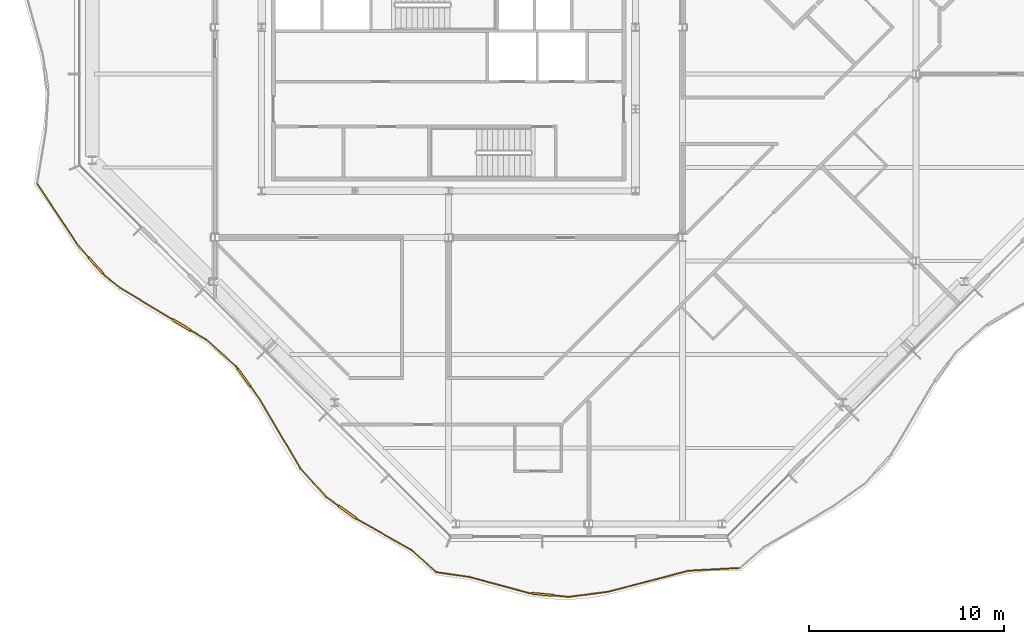
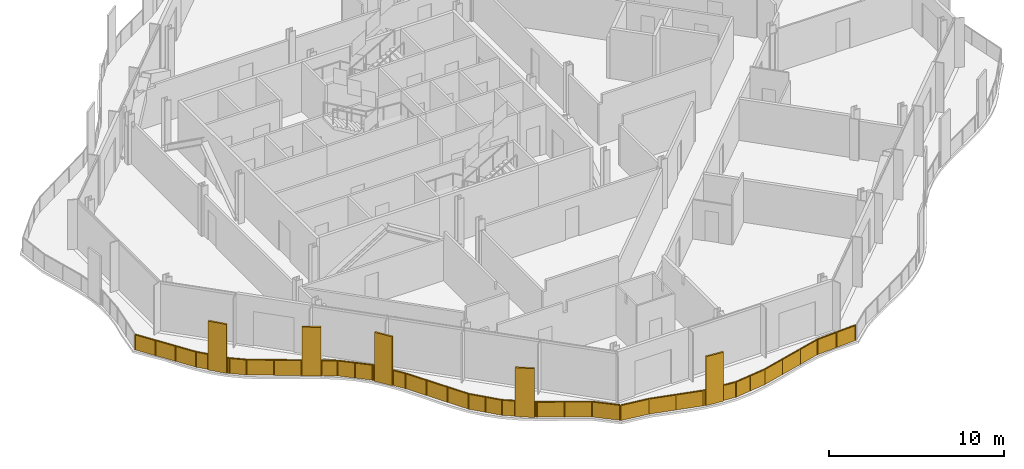
# One storey, part 12 of 16: 2 railings.
"""IFC4 building model written with IfcOpenShell, lengths in metres."""

from ifc_helpers import new_model, si_unit, direction, frame, origin, origin_2d, place, context, subcontext, project, spatial, polyline, rectangle, outline, extrude, material, type_object, element, save


model = new_model("IFC4")

# Units and contexts
model_context = context("Model", 3, precision=1e-05, world=origin(), true_north=direction((0.0, 1.0)))
body_context = subcontext(model_context, "Body", "Model", "MODEL_VIEW")
ifc_project = project(units=[si_unit("LENGTHUNIT", "METRE"), si_unit("AREAUNIT", "SQUARE_METRE"), si_unit("VOLUMEUNIT", "CUBIC_METRE"), si_unit("PLANEANGLEUNIT", "RADIAN"), si_unit("MASSUNIT", "GRAM", prefix="KILO")], contexts=[model_context])

# Site, building, storey
site_placement = place(None, origin())
site = spatial("IfcSite", under=ifc_project, at=site_placement, CompositionType="ELEMENT")
building_placement = place(site_placement, origin())
building = spatial("IfcBuilding", under=site, at=building_placement, Name="Cairn Pilgrim Tower", CompositionType="ELEMENT")
storey_placement = place(building_placement, frame((0.0, 0.0, 277.800048828125)))
storey = spatial("IfcBuildingStorey", under=building, at=storey_placement, Name="L71", CompositionType="ELEMENT", Elevation=277.800048828125)

# Railings
ifc_material = material(Name="Bronze anodised aluminium rail, posts and fin screens with laminated glass infill", Category="aluminium")
railing_type = type_object("IfcRailingType", Name="BALCONY GUARD WITH FIN SCREENS", PredefinedType="GUARDRAIL", material=ifc_material)
railing_1_placement = place(storey_placement, frame((6.55419921875, -25.57763671875, 0.0)))
element("IfcRailing", 1, at=railing_1_placement, inside=storey, type_object=railing_type, Name="Balcony guard BGF-1 with fin screens", PredefinedType="GUARDRAIL", context=body_context, shape_type="SweptSolid", body=[
    extrude(rectangle(XDim=0.050048828125, YDim=0.050048828125, at=origin_2d()), frame((0.0, 0.0, 1.0751953125), z_axis=(0.989761532222, -0.142730898317, 0.0), x_axis=(0.142730898317, 0.989761532222, 0.0)), (0.0, 0.0, 1.0), 1.722412109375),
    extrude(rectangle(XDim=0.050048828125, YDim=0.050048828125, at=origin_2d()), frame((1.704833984375, -0.245849609375, 1.0751953125), z_axis=(0.965438319853, -0.260631637679, 0.0), x_axis=(0.260631637679, 0.965438319853, 0.0)), (0.0, 0.0, 1.0), 3.1923828125),
    extrude(rectangle(XDim=1.10009765625, YDim=0.110107421875, at=origin_2d()), frame((5.483642578125, -1.143798828125, 0.0), z_axis=(0.0, 0.0, 1.0), x_axis=(0.99555239361, -0.094209508955, 0.0)), (0.0, 0.0, 1.0), 3.39990234375),
    extrude(rectangle(XDim=0.050048828125, YDim=0.050048828125, at=origin_2d()), frame((4.786865234375, -1.077880859375, 1.0751953125), z_axis=(0.99555239361, -0.094209508955, 0.0), x_axis=(0.094209508955, 0.99555239361, 0.0)), (0.0, 0.0, 1.0), 0.14990234375),
    extrude(rectangle(XDim=0.050048828125, YDim=0.050048828125, at=origin_2d()), frame((6.03125, -1.195556640625, 1.0751953125), z_axis=(0.99555239361, -0.094209508955, 0.0), x_axis=(0.094209508955, 0.99555239361, 0.0)), (0.0, 0.0, 1.0), 0.787109375),
    extrude(rectangle(XDim=0.050048828125, YDim=0.050048828125, at=origin_2d()), frame((6.814697265625, -1.269775390625, 1.0751953125), z_axis=(0.991647538823, 0.128977357496, 0.0), x_axis=(-0.128977357496, 0.991647538823, 0.0)), (0.0, 0.0, 1.0), 2.048095703125),
    extrude(rectangle(XDim=0.050048828125, YDim=0.050048828125, at=origin_2d()), frame((8.845703125, -1.005615234375, 1.0751953125), z_axis=(0.967377575943, 0.253338953899, 0.0), x_axis=(-0.253338953899, 0.967377575943, 0.0)), (0.0, 0.0, 1.0), 4.258544921875),
    extrude(rectangle(XDim=0.050048828125, YDim=0.050048828125, at=origin_2d()), frame((12.96533203125, 0.0732421875, 1.0751953125), z_axis=(0.998559936328, 0.053647493511, 0.0), x_axis=(-0.053647493511, 0.998559936328, 0.0)), (0.0, 0.0, 1.0), 2.58935546875),
    extrude(rectangle(XDim=0.050048828125, YDim=0.050048828125, at=origin_2d()), origin(), (0.0, 0.0, 1.0), 1.050048828125),
    extrude(rectangle(XDim=0.050048828125, YDim=0.050048828125, at=origin_2d()), frame((1.704833984375, -0.245849609375, 0.0)), (0.0, 0.0, 1.0), 1.050048828125),
    extrude(rectangle(XDim=0.050048828125, YDim=0.050048828125, at=origin_2d()), frame((3.245849609375, -0.661865234375, 0.0)), (0.0, 0.0, 1.0), 1.050048828125),
    extrude(rectangle(XDim=0.050048828125, YDim=0.050048828125, at=origin_2d()), frame((4.786865234375, -1.077880859375, 0.0)), (0.0, 0.0, 1.0), 1.050048828125),
    extrude(rectangle(XDim=0.050048828125, YDim=0.050048828125, at=origin_2d()), frame((4.9111328125, -1.089599609375, 0.0)), (0.0, 0.0, 1.0), 1.050048828125),
    extrude(rectangle(XDim=0.050048828125, YDim=0.050048828125, at=origin_2d()), frame((6.05615234375, -1.197998046875, 0.0)), (0.0, 0.0, 1.0), 1.050048828125),
    extrude(rectangle(XDim=0.050048828125, YDim=0.050048828125, at=origin_2d()), frame((6.814697265625, -1.269775390625, 0.0)), (0.0, 0.0, 1.0), 1.050048828125),
    extrude(rectangle(XDim=0.050048828125, YDim=0.050048828125, at=origin_2d()), frame((7.830078125, -1.1376953125, 0.0)), (0.0, 0.0, 1.0), 1.050048828125),
    extrude(rectangle(XDim=0.050048828125, YDim=0.050048828125, at=origin_2d()), frame((8.845703125, -1.005615234375, 0.0)), (0.0, 0.0, 1.0), 1.050048828125),
    extrude(rectangle(XDim=0.050048828125, YDim=0.050048828125, at=origin_2d()), frame((10.218994140625, -0.64599609375, 0.0)), (0.0, 0.0, 1.0), 1.050048828125),
    extrude(rectangle(XDim=0.050048828125, YDim=0.050048828125, at=origin_2d()), frame((11.592041015625, -0.286376953125, 0.0)), (0.0, 0.0, 1.0), 1.050048828125),
    extrude(rectangle(XDim=0.050048828125, YDim=0.050048828125, at=origin_2d()), frame((12.96533203125, 0.0732421875, 0.0)), (0.0, 0.0, 1.0), 1.050048828125),
    extrude(rectangle(XDim=0.050048828125, YDim=0.050048828125, at=origin_2d()), frame((14.25830078125, 0.142578125, 0.0)), (0.0, 0.0, 1.0), 1.050048828125),
    extrude(rectangle(XDim=0.050048828125, YDim=0.050048828125, at=origin_2d()), frame((15.551025390625, 0.212158203125, 0.0)), (0.0, 0.0, 1.0), 1.050048828125),
    extrude(outline(polyline([(0.02490234375, 0.0), (1.697509765625, 0.0), (1.697509765625, 1.050048828125), (0.02490234375, 1.050048828125), (0.02490234375, 0.0)])), frame((0.000732421875, 0.005859375, 0.0), z_axis=(-0.142730898317, -0.989761532222, 0.0), x_axis=(0.989761532222, -0.142730898317, 0.0)), (0.0, 0.0, 1.0), 0.011962890625),
    extrude(outline(polyline([(0.02490234375, 0.0), (1.571044921875, 0.0), (1.571044921875, 1.050048828125), (0.02490234375, 1.050048828125), (0.02490234375, 0.0)])), frame((1.706298828125, -0.239990234375, 0.0), z_axis=(-0.260631637679, -0.965438319853, 0.0), x_axis=(0.965438319853, -0.260631637679, 0.0)), (0.0, 0.0, 1.0), 0.011962890625),
    extrude(outline(polyline([(0.02490234375, 0.0), (1.571044921875, 0.0), (1.571044921875, 1.050048828125), (0.02490234375, 1.050048828125), (0.02490234375, 0.0)])), frame((3.247314453125, -0.656005859375, 0.0), z_axis=(-0.260631637679, -0.965438319853, 0.0), x_axis=(0.965438319853, -0.260631637679, 0.0)), (0.0, 0.0, 1.0), 0.011962890625),
    extrude(outline(polyline([(0.02490234375, 0.0), (0.099853515625, 0.0), (0.099853515625, 1.050048828125), (0.02490234375, 1.050048828125), (0.02490234375, 0.0)])), frame((4.787353515625, -1.072021484375, 0.0), z_axis=(-0.094209508955, -0.99555239361, 0.0), x_axis=(0.99555239361, -0.094209508955, 0.0)), (0.0, 0.0, 1.0), 0.011962890625),
    extrude(outline(polyline([(0.02490234375, 0.0), (0.737060546875, 0.0), (0.737060546875, 1.050048828125), (0.02490234375, 1.050048828125), (0.02490234375, 0.0)])), frame((6.056640625, -1.192138671875, 0.0), z_axis=(-0.094209508955, -0.99555239361, 0.0), x_axis=(0.99555239361, -0.094209508955, 0.0)), (0.0, 0.0, 1.0), 0.011962890625),
    extrude(outline(polyline([(0.02490234375, 0.0), (0.9990234375, 0.0), (0.9990234375, 1.050048828125), (0.02490234375, 1.050048828125), (0.02490234375, 0.0)])), frame((6.81396484375, -1.263916015625, 0.0), z_axis=(0.128977357496, -0.991647538823, 0.0), x_axis=(0.991647538823, 0.128977357496, 0.0)), (0.0, 0.0, 1.0), 0.011962890625),
    extrude(outline(polyline([(0.02490234375, 0.0), (0.9990234375, 0.0), (0.9990234375, 1.050048828125), (0.02490234375, 1.050048828125), (0.02490234375, 0.0)])), frame((7.829345703125, -1.1318359375, 0.0), z_axis=(0.128977357496, -0.991647538823, 0.0), x_axis=(0.991647538823, 0.128977357496, 0.0)), (0.0, 0.0, 1.0), 0.011962890625),
    extrude(outline(polyline([(0.02490234375, 0.0), (1.39453125, 0.0), (1.39453125, 1.050048828125), (0.02490234375, 1.050048828125), (0.02490234375, 0.0)])), frame((8.84423828125, -0.999755859375, 0.0), z_axis=(0.253338953899, -0.967377575943, 0.0), x_axis=(0.967377575943, 0.253338953899, 0.0)), (0.0, 0.0, 1.0), 0.011962890625),
    extrude(outline(polyline([(0.02490234375, 0.0), (1.39453125, 0.0), (1.39453125, 1.050048828125), (0.02490234375, 1.050048828125), (0.02490234375, 0.0)])), frame((10.21728515625, -0.64013671875, 0.0), z_axis=(0.253338953899, -0.967377575943, 0.0), x_axis=(0.967377575943, 0.253338953899, 0.0)), (0.0, 0.0, 1.0), 0.011962890625),
    extrude(outline(polyline([(0.02490234375, 0.0), (1.39453125, 0.0), (1.39453125, 1.050048828125), (0.02490234375, 1.050048828125), (0.02490234375, 0.0)])), frame((11.590576171875, -0.280517578125, 0.0), z_axis=(0.253338953899, -0.967377575943, 0.0), x_axis=(0.967377575943, 0.253338953899, 0.0)), (0.0, 0.0, 1.0), 0.011962890625),
    extrude(outline(polyline([(0.02490234375, 0.0), (1.269775390625, 0.0), (1.269775390625, 1.050048828125), (0.02490234375, 1.050048828125), (0.02490234375, 0.0)])), frame((12.965087890625, 0.0791015625, 0.0), z_axis=(0.053647493511, -0.998559936328, 0.0), x_axis=(0.998559936328, 0.053647493511, 0.0)), (0.0, 0.0, 1.0), 0.011962890625),
    extrude(outline(polyline([(0.02490234375, 0.0), (1.269775390625, 0.0), (1.269775390625, 1.050048828125), (0.02490234375, 1.050048828125), (0.02490234375, 0.0)])), frame((14.2578125, 0.148681640625, 0.0), z_axis=(0.053647493511, -0.998559936328, 0.0), x_axis=(0.998559936328, 0.053647493511, 0.0)), (0.0, 0.0, 1.0), 0.011962890625),
])
railing_2_placement = place(storey_placement, frame((-13.93408203125, -5.632568359375, 0.0)))
element("IfcRailing", 2, at=railing_2_placement, inside=storey, type_object=railing_type, Name="Balcony guard BGF-8 with fin screens", PredefinedType="GUARDRAIL", context=body_context, shape_type="SweptSolid", body=[
    extrude(rectangle(XDim=0.050048828125, YDim=0.050048828125, at=origin_2d()), frame((0.0, 0.0, 1.0751953125), z_axis=(0.554439524319, -0.832224016641, 0.0), x_axis=(0.832224016641, 0.554439524319, 0.0)), (0.0, 0.0, 1.0), 3.890869140625),
    extrude(rectangle(XDim=1.10009765625, YDim=0.110107421875, at=origin_2d()), frame((3.016357421875, -4.20263671875, 0.0), z_axis=(0.0, 0.0, 1.0), x_axis=(0.665040760026, -0.746807061766, 0.0)), (0.0, 0.0, 1.0), 3.39990234375),
    extrude(rectangle(XDim=0.050048828125, YDim=0.050048828125, at=origin_2d()), frame((2.1572265625, -3.238037109375, 1.0751953125), z_axis=(0.665040760026, -0.746807061766, 0.0), x_axis=(0.746807061766, 0.665040760026, 0.0)), (0.0, 0.0, 1.0), 0.74169921875),
    extrude(rectangle(XDim=0.050048828125, YDim=0.050048828125, at=origin_2d()), frame((3.382080078125, -4.613525390625, 1.0751953125), z_axis=(0.665040760026, -0.746807061766, 0.0), x_axis=(0.746807061766, 0.665040760026, 0.0)), (0.0, 0.0, 1.0), 0.14990234375),
    extrude(rectangle(XDim=0.050048828125, YDim=0.050048828125, at=origin_2d()), frame((3.481689453125, -4.725341796875, 1.0751953125), z_axis=(0.780676136147, -0.624935813065, 0.0), x_axis=(0.624935813065, 0.780676136147, 0.0)), (0.0, 0.0, 1.0), 0.9892578125),
    extrude(rectangle(XDim=1.10009765625, YDim=0.110107421875, at=origin_2d()), frame((7.429931640625, -7.25341796875, 0.0), z_axis=(0.0, 0.0, 1.0), x_axis=(0.856981583838, -0.515347033524, 0.0)), (0.0, 0.0, 1.0), 3.39990234375),
    extrude(rectangle(XDim=0.050048828125, YDim=0.050048828125, at=origin_2d()), frame((4.25390625, -5.343505859375, 1.0751953125), z_axis=(0.856981583838, -0.515347033524, 0.0), x_axis=(0.515347033524, 0.856981583838, 0.0)), (0.0, 0.0, 1.0), 3.156005859375),
    extrude(rectangle(XDim=0.050048828125, YDim=0.050048828125, at=origin_2d()), frame((7.9013671875, -7.536865234375, 1.0751953125), z_axis=(0.856981583838, -0.515347033524, 0.0), x_axis=(0.515347033524, 0.856981583838, 0.0)), (0.0, 0.0, 1.0), 0.929931640625),
    extrude(rectangle(XDim=0.050048828125, YDim=0.050048828125, at=origin_2d()), frame((8.6982421875, -8.01611328125, 1.0751953125), z_axis=(0.743602783484, -0.668621642182, 0.0), x_axis=(0.668621642182, 0.743602783484, 0.0)), (0.0, 0.0, 1.0), 2.044677734375),
    extrude(rectangle(XDim=1.10009765625, YDim=0.110107421875, at=origin_2d()), frame((10.627685546875, -9.951416015625, 0.0), z_axis=(0.0, 0.0, 1.0), x_axis=(0.584170519596, -0.811630953103, 0.0)), (0.0, 0.0, 1.0), 3.39990234375),
    extrude(rectangle(XDim=0.050048828125, YDim=0.050048828125, at=origin_2d()), frame((10.21875, -9.38330078125, 1.0751953125), z_axis=(0.584170519596, -0.811630953103, 0.0), x_axis=(0.811630953103, 0.584170519596, 0.0)), (0.0, 0.0, 1.0), 0.150146484375),
    extrude(rectangle(XDim=0.050048828125, YDim=0.050048828125, at=origin_2d()), frame((10.948974609375, -10.39794921875, 1.0751953125), z_axis=(0.584170519596, -0.811630953103, 0.0), x_axis=(0.811630953103, 0.584170519596, 0.0)), (0.0, 0.0, 1.0), 0.810791015625),
    extrude(rectangle(XDim=0.050048828125, YDim=0.050048828125, at=origin_2d()), frame((11.422607421875, -11.055908203125, 1.0751953125), z_axis=(0.507534657489, -0.86163134312, 0.0), x_axis=(0.86163134312, 0.507534657489, 0.0)), (0.0, 0.0, 1.0), 4.146484375),
    extrude(rectangle(XDim=0.050048828125, YDim=0.050048828125, at=origin_2d()), frame((13.527099609375, -14.628662109375, 1.0751953125), z_axis=(0.672421385617, -0.740168548484, 0.0), x_axis=(0.740168548484, 0.672421385617, 0.0)), (0.0, 0.0, 1.0), 1.98193359375),
    extrude(rectangle(XDim=1.10009765625, YDim=0.110107421875, at=origin_2d()), frame((15.9306640625, -16.85986328125, 0.0), z_axis=(0.0, 0.0, 1.0), x_axis=(0.813978964494, -0.580894349568, 0.0)), (0.0, 0.0, 1.0), 3.39990234375),
    extrude(rectangle(XDim=0.050048828125, YDim=0.050048828125, at=origin_2d()), frame((14.85986328125, -16.095703125, 1.0751953125), z_axis=(0.813978964494, -0.580894349568, 0.0), x_axis=(0.580894349568, 0.813978964494, 0.0)), (0.0, 0.0, 1.0), 0.765380859375),
    extrude(rectangle(XDim=0.050048828125, YDim=0.050048828125, at=origin_2d()), frame((16.378173828125, -17.17919921875, 1.0751953125), z_axis=(0.813978964494, -0.580894349568, 0.0), x_axis=(0.580894349568, 0.813978964494, 0.0)), (0.0, 0.0, 1.0), 0.14990234375),
    extrude(rectangle(XDim=0.050048828125, YDim=0.050048828125, at=origin_2d()), frame((16.500244140625, -17.266357421875, 1.0751953125), z_axis=(0.870378847517, -0.492382637584, 0.0), x_axis=(0.492382637584, 0.870378847517, 0.0)), (0.0, 0.0, 1.0), 3.1396484375),
    extrude(rectangle(XDim=0.050048828125, YDim=0.050048828125, at=origin_2d()), frame((19.23291015625, -18.812255859375, 1.0751953125), z_axis=(0.742400380544, -0.669956472443, 0.0), x_axis=(0.669956472443, 0.742400380544, 0.0)), (0.0, 0.0, 1.0), 1.631103515625),
    extrude(rectangle(XDim=0.050048828125, YDim=0.050048828125, at=origin_2d()), origin(), (0.0, 0.0, 1.0), 1.050048828125),
    extrude(rectangle(XDim=0.050048828125, YDim=0.050048828125, at=origin_2d()), frame((0.718994140625, -1.079345703125, 0.0)), (0.0, 0.0, 1.0), 1.050048828125),
    extrude(rectangle(XDim=0.050048828125, YDim=0.050048828125, at=origin_2d()), frame((1.438232421875, -2.15869140625, 0.0)), (0.0, 0.0, 1.0), 1.050048828125),
    extrude(rectangle(XDim=0.050048828125, YDim=0.050048828125, at=origin_2d()), frame((2.1572265625, -3.238037109375, 0.0)), (0.0, 0.0, 1.0), 1.050048828125),
    extrude(rectangle(XDim=0.050048828125, YDim=0.050048828125, at=origin_2d()), frame((2.6337890625, -3.773193359375, 0.0)), (0.0, 0.0, 1.0), 1.050048828125),
    extrude(rectangle(XDim=0.050048828125, YDim=0.050048828125, at=origin_2d()), frame((3.398681640625, -4.632080078125, 0.0)), (0.0, 0.0, 1.0), 1.050048828125),
    extrude(rectangle(XDim=0.050048828125, YDim=0.050048828125, at=origin_2d()), frame((3.481689453125, -4.725341796875, 0.0)), (0.0, 0.0, 1.0), 1.050048828125),
    extrude(rectangle(XDim=0.050048828125, YDim=0.050048828125, at=origin_2d()), frame((4.25390625, -5.343505859375, 0.0)), (0.0, 0.0, 1.0), 1.050048828125),
    extrude(rectangle(XDim=0.050048828125, YDim=0.050048828125, at=origin_2d()), frame((5.595458984375, -6.150390625, 0.0)), (0.0, 0.0, 1.0), 1.050048828125),
    extrude(rectangle(XDim=0.050048828125, YDim=0.050048828125, at=origin_2d()), frame((6.937255859375, -6.95703125, 0.0)), (0.0, 0.0, 1.0), 1.050048828125),
    extrude(rectangle(XDim=0.050048828125, YDim=0.050048828125, at=origin_2d()), frame((7.922607421875, -7.5498046875, 0.0)), (0.0, 0.0, 1.0), 1.050048828125),
    extrude(rectangle(XDim=0.050048828125, YDim=0.050048828125, at=origin_2d()), frame((8.6982421875, -8.01611328125, 0.0)), (0.0, 0.0, 1.0), 1.050048828125),
    extrude(rectangle(XDim=0.050048828125, YDim=0.050048828125, at=origin_2d()), frame((9.45849609375, -8.69970703125, 0.0)), (0.0, 0.0, 1.0), 1.050048828125),
    extrude(rectangle(XDim=0.050048828125, YDim=0.050048828125, at=origin_2d()), frame((10.21875, -9.38330078125, 0.0)), (0.0, 0.0, 1.0), 1.050048828125),
    extrude(rectangle(XDim=0.050048828125, YDim=0.050048828125, at=origin_2d()), frame((10.291748046875, -9.48486328125, 0.0)), (0.0, 0.0, 1.0), 1.050048828125),
    extrude(rectangle(XDim=0.050048828125, YDim=0.050048828125, at=origin_2d()), frame((10.963623046875, -10.418212890625, 0.0)), (0.0, 0.0, 1.0), 1.050048828125),
    extrude(rectangle(XDim=0.050048828125, YDim=0.050048828125, at=origin_2d()), frame((11.422607421875, -11.055908203125, 0.0)), (0.0, 0.0, 1.0), 1.050048828125),
    extrude(rectangle(XDim=0.050048828125, YDim=0.050048828125, at=origin_2d()), frame((12.1240234375, -12.246826171875, 0.0)), (0.0, 0.0, 1.0), 1.050048828125),
    extrude(rectangle(XDim=0.050048828125, YDim=0.050048828125, at=origin_2d()), frame((12.82568359375, -13.437744140625, 0.0)), (0.0, 0.0, 1.0), 1.050048828125),
    extrude(rectangle(XDim=0.050048828125, YDim=0.050048828125, at=origin_2d()), frame((13.527099609375, -14.628662109375, 0.0)), (0.0, 0.0, 1.0), 1.050048828125),
    extrude(rectangle(XDim=0.050048828125, YDim=0.050048828125, at=origin_2d()), frame((14.193359375, -15.3623046875, 0.0)), (0.0, 0.0, 1.0), 1.050048828125),
    extrude(rectangle(XDim=0.050048828125, YDim=0.050048828125, at=origin_2d()), frame((14.85986328125, -16.095703125, 0.0)), (0.0, 0.0, 1.0), 1.050048828125),
    extrude(rectangle(XDim=0.050048828125, YDim=0.050048828125, at=origin_2d()), frame((15.46240234375, -16.52587890625, 0.0)), (0.0, 0.0, 1.0), 1.050048828125),
    extrude(rectangle(XDim=0.050048828125, YDim=0.050048828125, at=origin_2d()), frame((16.398681640625, -17.19384765625, 0.0)), (0.0, 0.0, 1.0), 1.050048828125),
    extrude(rectangle(XDim=0.050048828125, YDim=0.050048828125, at=origin_2d()), frame((16.500244140625, -17.266357421875, 0.0)), (0.0, 0.0, 1.0), 1.050048828125),
    extrude(rectangle(XDim=0.050048828125, YDim=0.050048828125, at=origin_2d()), frame((17.86669921875, -18.039306640625, 0.0)), (0.0, 0.0, 1.0), 1.050048828125),
    extrude(rectangle(XDim=0.050048828125, YDim=0.050048828125, at=origin_2d()), frame((19.23291015625, -18.812255859375, 0.0)), (0.0, 0.0, 1.0), 1.050048828125),
    extrude(rectangle(XDim=0.050048828125, YDim=0.050048828125, at=origin_2d()), frame((20.44384765625, -19.905029296875, 0.0)), (0.0, 0.0, 1.0), 1.050048828125),
    extrude(outline(polyline([(0.02490234375, 0.0), (1.27197265625, 0.0), (1.27197265625, 1.050048828125), (0.02490234375, 1.050048828125), (0.02490234375, 0.0)])), frame((0.0048828125, 0.00341796875, 0.0), z_axis=(-0.832224016641, -0.554439524319, 0.0), x_axis=(0.554439524319, -0.832224016641, 0.0)), (0.0, 0.0, 1.0), 0.011962890625),
    extrude(outline(polyline([(0.02490234375, 0.0), (1.27197265625, 0.0), (1.27197265625, 1.050048828125), (0.02490234375, 1.050048828125), (0.02490234375, 0.0)])), frame((0.72412109375, -1.075927734375, 0.0), z_axis=(-0.832224016641, -0.554439524319, 0.0), x_axis=(0.554439524319, -0.832224016641, 0.0)), (0.0, 0.0, 1.0), 0.011962890625),
    extrude(outline(polyline([(0.02490234375, 0.0), (1.27197265625, 0.0), (1.27197265625, 1.050048828125), (0.02490234375, 1.050048828125), (0.02490234375, 0.0)])), frame((1.443115234375, -2.1552734375, 0.0), z_axis=(-0.832224016641, -0.554439524319, 0.0), x_axis=(0.554439524319, -0.832224016641, 0.0)), (0.0, 0.0, 1.0), 0.011962890625),
    extrude(outline(polyline([(0.02490234375, 0.0), (0.691650390625, 0.0), (0.691650390625, 1.050048828125), (0.02490234375, 1.050048828125), (0.02490234375, 0.0)])), frame((2.16162109375, -3.234130859375, 0.0), z_axis=(-0.746807061766, -0.665040760026, 0.0), x_axis=(0.665040760026, -0.746807061766, 0.0)), (0.0, 0.0, 1.0), 0.011962890625),
    extrude(outline(polyline([(0.02490234375, 0.0), (0.099853515625, 0.0), (0.099853515625, 1.050048828125), (0.02490234375, 1.050048828125), (0.02490234375, 0.0)])), frame((3.403076171875, -4.628173828125, 0.0), z_axis=(-0.746807061766, -0.665040760026, 0.0), x_axis=(0.665040760026, -0.746807061766, 0.0)), (0.0, 0.0, 1.0), 0.011962890625),
    extrude(outline(polyline([(0.02490234375, 0.0), (0.964111328125, 0.0), (0.964111328125, 1.050048828125), (0.02490234375, 1.050048828125), (0.02490234375, 0.0)])), frame((3.4853515625, -4.720703125, 0.0), z_axis=(-0.624935813065, -0.780676136147, 0.0), x_axis=(0.780676136147, -0.624935813065, 0.0)), (0.0, 0.0, 1.0), 0.011962890625),
    extrude(outline(polyline([(0.02490234375, 0.0), (1.54052734375, 0.0), (1.54052734375, 1.050048828125), (0.02490234375, 1.050048828125), (0.02490234375, 0.0)])), frame((4.257080078125, -5.33837890625, 0.0), z_axis=(-0.515347033524, -0.856981583838, 0.0), x_axis=(0.856981583838, -0.515347033524, 0.0)), (0.0, 0.0, 1.0), 0.011962890625),
    extrude(outline(polyline([(0.02490234375, 0.0), (1.54052734375, 0.0), (1.54052734375, 1.050048828125), (0.02490234375, 1.050048828125), (0.02490234375, 0.0)])), frame((5.5986328125, -6.145263671875, 0.0), z_axis=(-0.515347033524, -0.856981583838, 0.0), x_axis=(0.856981583838, -0.515347033524, 0.0)), (0.0, 0.0, 1.0), 0.011962890625),
    extrude(outline(polyline([(0.02490234375, 0.0), (0.8798828125, 0.0), (0.8798828125, 1.050048828125), (0.02490234375, 1.050048828125), (0.02490234375, 0.0)])), frame((7.92578125, -7.544677734375, 0.0), z_axis=(-0.515347033524, -0.856981583838, 0.0), x_axis=(0.856981583838, -0.515347033524, 0.0)), (0.0, 0.0, 1.0), 0.011962890625),
    extrude(outline(polyline([(0.02490234375, 0.0), (0.997314453125, 0.0), (0.997314453125, 1.050048828125), (0.02490234375, 1.050048828125), (0.02490234375, 0.0)])), frame((8.7021484375, -8.01171875, 0.0), z_axis=(-0.668621642182, -0.743602783484, 0.0), x_axis=(0.743602783484, -0.668621642182, 0.0)), (0.0, 0.0, 1.0), 0.011962890625),
    extrude(outline(polyline([(0.02490234375, 0.0), (0.997314453125, 0.0), (0.997314453125, 1.050048828125), (0.02490234375, 1.050048828125), (0.02490234375, 0.0)])), frame((9.46240234375, -8.6953125, 0.0), z_axis=(-0.668621642182, -0.743602783484, 0.0), x_axis=(0.743602783484, -0.668621642182, 0.0)), (0.0, 0.0, 1.0), 0.011962890625),
    extrude(outline(polyline([(0.02490234375, 0.0), (0.10009765625, 0.0), (0.10009765625, 1.050048828125), (0.02490234375, 1.050048828125), (0.02490234375, 0.0)])), frame((10.2236328125, -9.3798828125, 0.0), z_axis=(-0.811630953103, -0.584170519596, 0.0), x_axis=(0.584170519596, -0.811630953103, 0.0)), (0.0, 0.0, 1.0), 0.011962890625),
    extrude(outline(polyline([(0.02490234375, 0.0), (0.7607421875, 0.0), (0.7607421875, 1.050048828125), (0.02490234375, 1.050048828125), (0.02490234375, 0.0)])), frame((10.968505859375, -10.414794921875, 0.0), z_axis=(-0.811630953103, -0.584170519596, 0.0), x_axis=(0.584170519596, -0.811630953103, 0.0)), (0.0, 0.0, 1.0), 0.011962890625),
    extrude(outline(polyline([(0.02490234375, 0.0), (1.357177734375, 0.0), (1.357177734375, 1.050048828125), (0.02490234375, 1.050048828125), (0.02490234375, 0.0)])), frame((11.427734375, -11.052978515625, 0.0), z_axis=(-0.86163134312, -0.507534657489, 0.0), x_axis=(0.507534657489, -0.86163134312, 0.0)), (0.0, 0.0, 1.0), 0.011962890625),
    extrude(outline(polyline([(0.02490234375, 0.0), (1.357177734375, 0.0), (1.357177734375, 1.050048828125), (0.02490234375, 1.050048828125), (0.02490234375, 0.0)])), frame((12.129150390625, -12.243896484375, 0.0), z_axis=(-0.86163134312, -0.507534657489, 0.0), x_axis=(0.507534657489, -0.86163134312, 0.0)), (0.0, 0.0, 1.0), 0.011962890625),
    extrude(outline(polyline([(0.02490234375, 0.0), (1.357177734375, 0.0), (1.357177734375, 1.050048828125), (0.02490234375, 1.050048828125), (0.02490234375, 0.0)])), frame((12.830810546875, -13.434814453125, 0.0), z_axis=(-0.86163134312, -0.507534657489, 0.0), x_axis=(0.507534657489, -0.86163134312, 0.0)), (0.0, 0.0, 1.0), 0.011962890625),
    extrude(outline(polyline([(0.02490234375, 0.0), (0.966064453125, 0.0), (0.966064453125, 1.050048828125), (0.02490234375, 1.050048828125), (0.02490234375, 0.0)])), frame((13.531494140625, -14.624755859375, 0.0), z_axis=(-0.740168548484, -0.672421385617, 0.0), x_axis=(0.672421385617, -0.740168548484, 0.0)), (0.0, 0.0, 1.0), 0.011962890625),
    extrude(outline(polyline([(0.02490234375, 0.0), (0.966064453125, 0.0), (0.966064453125, 1.050048828125), (0.02490234375, 1.050048828125), (0.02490234375, 0.0)])), frame((14.197998046875, -15.358154296875, 0.0), z_axis=(-0.740168548484, -0.672421385617, 0.0), x_axis=(0.672421385617, -0.740168548484, 0.0)), (0.0, 0.0, 1.0), 0.011962890625),
    extrude(outline(polyline([(0.02490234375, 0.0), (0.71533203125, 0.0), (0.71533203125, 1.050048828125), (0.02490234375, 1.050048828125), (0.02490234375, 0.0)])), frame((14.86328125, -16.0908203125, 0.0), z_axis=(-0.580894349568, -0.813978964494, 0.0), x_axis=(0.813978964494, -0.580894349568, 0.0)), (0.0, 0.0, 1.0), 0.011962890625),
    extrude(outline(polyline([(0.02490234375, 0.0), (0.099853515625, 0.0), (0.099853515625, 1.050048828125), (0.02490234375, 1.050048828125), (0.02490234375, 0.0)])), frame((16.402099609375, -17.18896484375, 0.0), z_axis=(-0.580894349568, -0.813978964494, 0.0), x_axis=(0.813978964494, -0.580894349568, 0.0)), (0.0, 0.0, 1.0), 0.011962890625),
    extrude(outline(polyline([(0.02490234375, 0.0), (1.544677734375, 0.0), (1.544677734375, 1.050048828125), (0.02490234375, 1.050048828125), (0.02490234375, 0.0)])), frame((16.503173828125, -17.26123046875, 0.0), z_axis=(-0.492382637584, -0.870378847517, 0.0), x_axis=(0.870378847517, -0.492382637584, 0.0)), (0.0, 0.0, 1.0), 0.011962890625),
    extrude(outline(polyline([(0.02490234375, 0.0), (1.544677734375, 0.0), (1.544677734375, 1.050048828125), (0.02490234375, 1.050048828125), (0.02490234375, 0.0)])), frame((17.86962890625, -18.0341796875, 0.0), z_axis=(-0.492382637584, -0.870378847517, 0.0), x_axis=(0.870378847517, -0.492382637584, 0.0)), (0.0, 0.0, 1.0), 0.011962890625),
    extrude(outline(polyline([(0.02490234375, 0.0), (1.606201171875, 0.0), (1.606201171875, 1.050048828125), (0.02490234375, 1.050048828125), (0.02490234375, 0.0)])), frame((19.23681640625, -18.807861328125, 0.0), z_axis=(-0.669956472443, -0.742400380544, 0.0), x_axis=(0.742400380544, -0.669956472443, 0.0)), (0.0, 0.0, 1.0), 0.011962890625),
])

save(model, "model.ifc")
